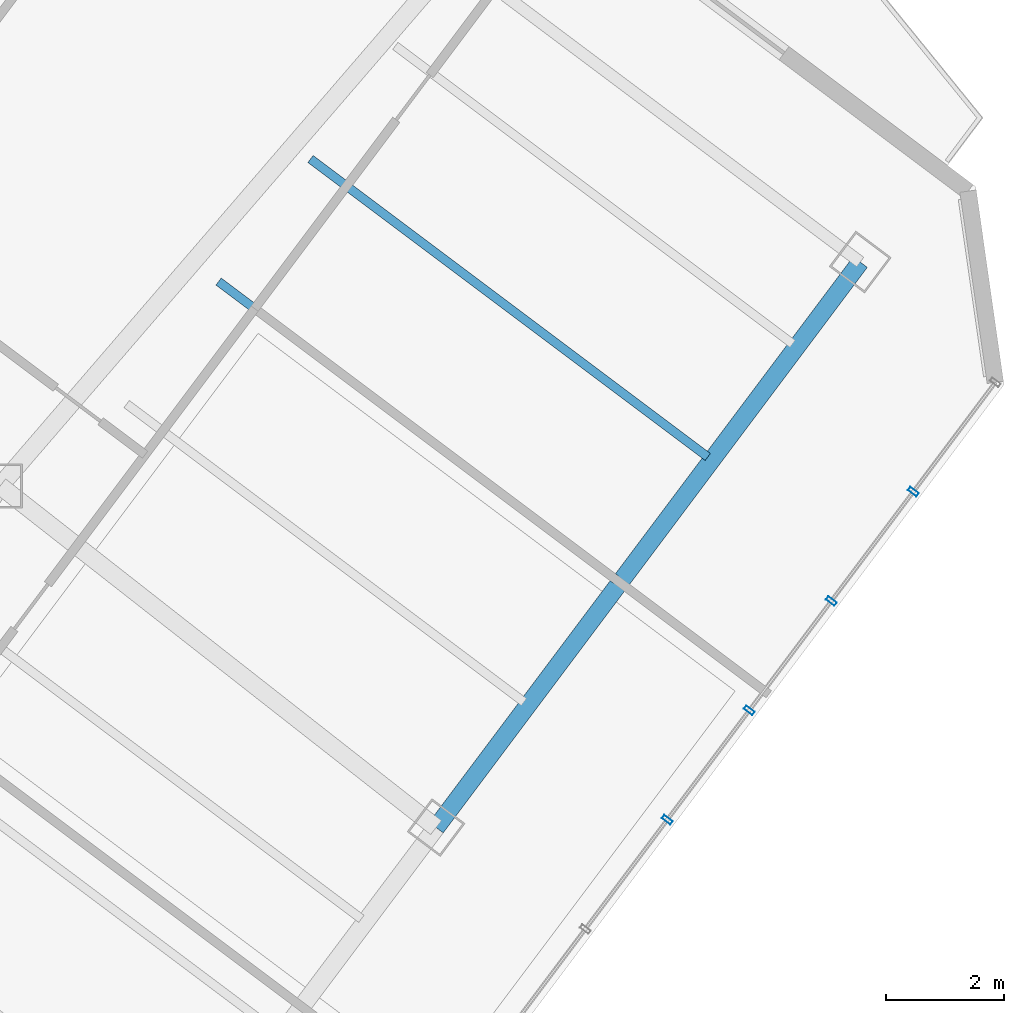
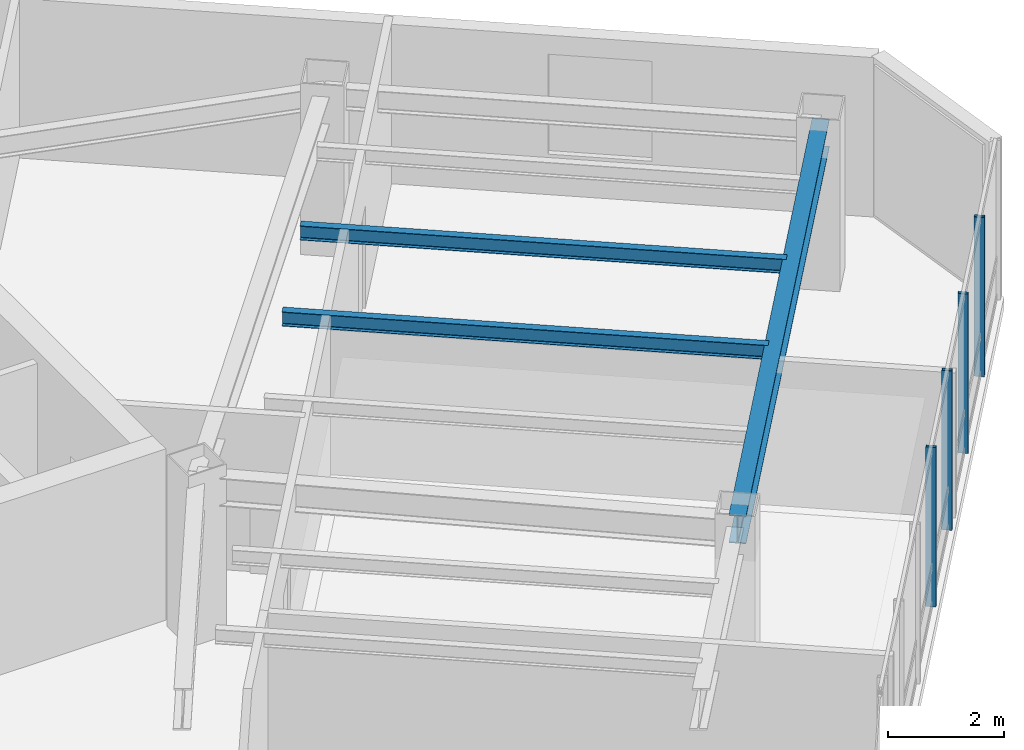
# One storey, part 13 of 24: 4 members, 3 beams, 1 element without a shape of its own.
"""IFC4 building model written with IfcOpenShell, lengths in metres."""

from ifc_helpers import new_model, si_unit, direction, frame, origin, origin_2d, place, context, subcontext, project, spatial, hollow_rectangle, i_section, extrude, material, layer, layer_set, material_profile, profile_set, type_object, element, aggregate, save


model = new_model("IFC4")

# Units and contexts
model_context = context("Model", 3, precision=1e-05, world=origin(), true_north=direction((0.0, 1.0)))
body_context = subcontext(model_context, "Body", "Model", "MODEL_VIEW")
ifc_project = project(units=[si_unit("LENGTHUNIT", "METRE"), si_unit("AREAUNIT", "SQUARE_METRE"), si_unit("VOLUMEUNIT", "CUBIC_METRE"), si_unit("PLANEANGLEUNIT", "RADIAN"), si_unit("MASSUNIT", "GRAM", prefix="KILO")], contexts=[model_context])

# Site, building, storey
site_placement = place(None, origin())
site = spatial("IfcSite", under=ifc_project, at=site_placement, CompositionType="ELEMENT")
building_placement = place(site_placement, origin())
building = spatial("IfcBuilding", under=site, at=building_placement, Name="Hatsunagi Terrace Concourse", CompositionType="ELEMENT")
storey_placement = place(building_placement, frame((0.0, 0.0, 213.14990234375)))
storey = spatial("IfcBuildingStorey", under=building, at=storey_placement, Name="L56", CompositionType="ELEMENT", Elevation=213.14990234375)

# Curtain wall, members
ifc_material_1 = material(Name="Anodised Aluminium Alloy 6063-T5", Category="aluminium")
ifc_layer = layer(ifc_material_1, 0.199951171875)
ifc_layer_set = layer_set([ifc_layer], Name="OfficeZone2_CW04")
curtain_wall_type = type_object("IfcCurtainWallType", Name="OfficeZone2_CW04", PredefinedType="NOTDEFINED", material=ifc_layer_set)
curtain_wall_placement = place(storey_placement, origin())
curtain_wall = element("IfcCurtainWall", 1, at=curtain_wall_placement, inside=storey, type_object=curtain_wall_type, Name="Unitised Curtain Wall CW-04 CW-L56-03", PredefinedType="NOTDEFINED")
ifc_material_2 = material(Name="Anodised Aluminium Alloy 6063-T5", Category="aluminium")
ifc_material_profile_1 = material_profile(ifc_material_2, hollow_rectangle(XDim=0.070068359375, YDim=0.179931640625, WallThickness=0.00390625, at=origin_2d()), Name="ALU-MUL-180x70x4")
ifc_profile_set_1 = profile_set([ifc_material_profile_1], Name="Anodised Aluminium Alloy 6063-T5")
member_type = type_object("IfcMemberType", Name="CurtainWallMullion_180x70", PredefinedType="MULLION", material=ifc_profile_set_1)
member_1_placement = place(storey_placement, frame((59.301025390625, 24.10205078125, 0.0), z_axis=(0.0, 0.0, 1.0), x_axis=(-0.599969314634, -0.800023013105, 0.0)))
member_1 = element("IfcMember", 2, at=member_1_placement, type_object=member_type, Name="Curtain Wall Mullion MUL-02", PredefinedType="MULLION", context=body_context, shape_type="SweptSolid", body=[
    extrude(hollow_rectangle(XDim=0.070068359375, YDim=0.179931640625, WallThickness=0.00390625, at=origin_2d()), origin(), (0.0, 0.0, 1.0), 3.35009765625),
])
member_2_placement = place(storey_placement, frame((57.908935546875, 22.2451171875, 0.0), z_axis=(0.0, 0.0, 1.0), x_axis=(-0.599969314634, -0.800023013105, 0.0)))
member_2 = element("IfcMember", 3, at=member_2_placement, type_object=member_type, Name="Curtain Wall Mullion MUL-02", PredefinedType="MULLION", context=body_context, shape_type="SweptSolid", body=[
    extrude(hollow_rectangle(XDim=0.070068359375, YDim=0.179931640625, WallThickness=0.00390625, at=origin_2d()), origin(), (0.0, 0.0, 1.0), 3.35009765625),
])
member_3_placement = place(storey_placement, frame((56.51611328125, 20.388916015625, 0.0), z_axis=(0.0, 0.0, 1.0), x_axis=(-0.599969314634, -0.800023013105, 0.0)))
member_3 = element("IfcMember", 4, at=member_3_placement, type_object=member_type, Name="Curtain Wall Mullion MUL-02", PredefinedType="MULLION", context=body_context, shape_type="SweptSolid", body=[
    extrude(hollow_rectangle(XDim=0.070068359375, YDim=0.179931640625, WallThickness=0.00390625, at=origin_2d()), origin(), (0.0, 0.0, 1.0), 3.35009765625),
])
member_4_placement = place(storey_placement, frame((55.1240234375, 18.531982421875, 0.0), z_axis=(0.0, 0.0, 1.0), x_axis=(-0.599969314634, -0.800023013105, 0.0)))
member_4 = element("IfcMember", 5, at=member_4_placement, type_object=member_type, Name="Curtain Wall Mullion MUL-02", PredefinedType="MULLION", context=body_context, shape_type="SweptSolid", body=[
    extrude(hollow_rectangle(XDim=0.070068359375, YDim=0.179931640625, WallThickness=0.00390625, at=origin_2d()), origin(), (0.0, 0.0, 1.0), 3.35009765625),
])
aggregate(curtain_wall, [member_1, member_2, member_3, member_4])

# Beams
ifc_material_3 = material(Name="Steel SN490B", Category="steel")
ifc_material_profile_2 = material_profile(ifc_material_3, i_section(OverallWidth=0.300048828125, OverallDepth=0.587890625, WebThickness=0.011962890625, FlangeThickness=0.02001953125, FilletRadius=0.01806640625, at=origin_2d()), Name="H-588x300x12x20")
ifc_profile_set_2 = profile_set([ifc_material_profile_2], Name="Steel SN490B")
beam_type_1 = type_object("IfcBeamType", Name="OfficeHighGirder_H_588x300", PredefinedType="BEAM", material=ifc_profile_set_2)
beam_placement = place(storey_placement, frame((51.199951171875, 18.39990234375, 3.05615234375), z_axis=(0.59999348959, 0.800004882766, 0.0), x_axis=(-0.800004882766, 0.59999348959, 0.0)))
element("IfcBeam", 6, at=beam_placement, inside=storey, type_object=beam_type_1, Name="Beam G-06 BM-L56-SET-2B", PredefinedType="BEAM", context=body_context, shape_type="SweptSolid", body=[
    extrude(i_section(OverallWidth=0.300048828125, OverallDepth=0.587890625, WebThickness=0.011962890625, FlangeThickness=0.02001953125, FilletRadius=0.01806640625, at=origin_2d()), origin(), (0.0, 0.0, 1.0), 12.0),
])
ifc_material_4 = material(Name="Steel SN490B", Category="steel")
ifc_material_profile_3 = material_profile(ifc_material_4, i_section(OverallWidth=0.14990234375, OverallDepth=0.300048828125, WebThickness=0.006591796875, FlangeThickness=0.009033203125, FilletRadius=0.010986328125, at=origin_2d()), Name="H-300x150x6.5x9")
ifc_profile_set_3 = profile_set([ifc_material_profile_3], Name="Steel SN490B")
beam_type_2 = type_object("IfcBeamType", Name="OfficeJoist_H_300x150", PredefinedType="JOIST", material=ifc_profile_set_3)
for number, where, z_axis, x_axis, name in (
    (7, (47.508056640625, 27.6689453125, 3.2001953125), (0.800003475366, -0.59999536615, 0.0), (0.59999536615, 0.800003475366, 0.0), "Beam J-03 J-L56-SE-2-168"),
    (8, (49.068115234375, 29.7490234375, 3.2001953125), (0.799989573921, -0.600013901187, 0.0), (0.600013901187, 0.799989573921, 0.0), "Beam J-03 J-L56-SE-2-194"),
):
    element("IfcBeam", number, at=place(storey_placement, frame(where, z_axis=z_axis, x_axis=x_axis)), inside=storey, type_object=beam_type_2, Name=name, PredefinedType="JOIST", context=body_context, shape_type="SweptSolid", body=[
        extrude(i_section(OverallWidth=0.14990234375, OverallDepth=0.300048828125, WebThickness=0.006591796875, FlangeThickness=0.009033203125, FilletRadius=0.010986328125, at=origin_2d()), origin(), (0.0, 0.0, 1.0), 8.429931640625),
    ])

save(model, "model.ifc")
